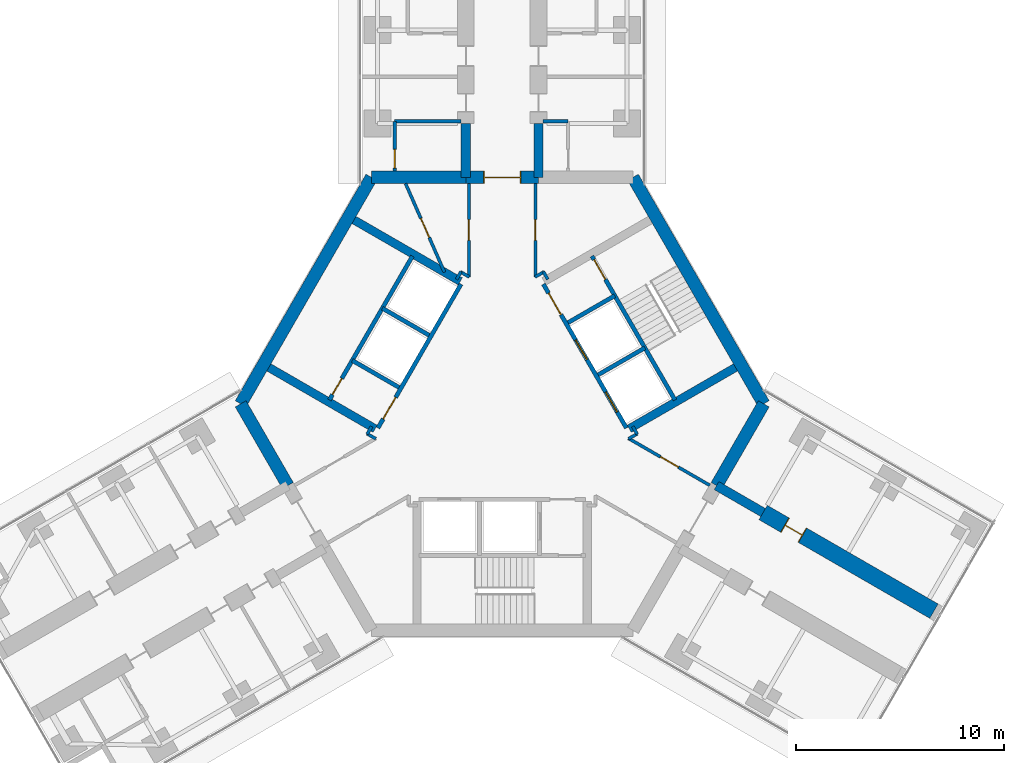
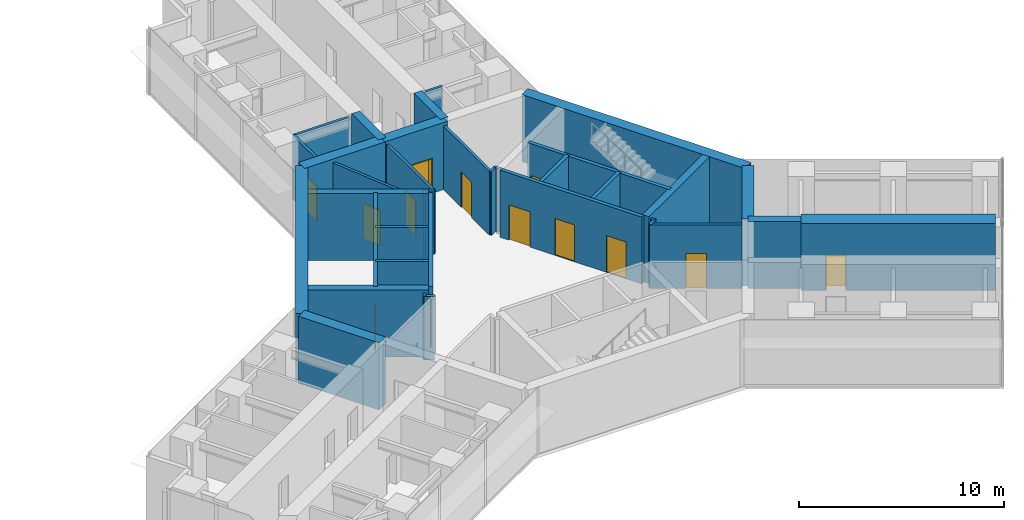
# One storey, part 19 of 22: 36 walls, 13 doors, 13 openings.
"""IFC4 building model written with IfcOpenShell, lengths in metres."""

import ifcopenshell
import ifcopenshell.guid

model = None  # the IFC model being written
_history = None  # IfcOwnerHistory: only IFC2X3 demands one
_inside = {}  # id of a spatial element -> (the spatial element, [elements in it])
_under = {}  # id of a project, library or spatial element -> (it, [spatial elements below it])
_declared = {}  # id of a project -> (the project, [libraries it declares])
_typed = {}  # id of a type object -> (the type object, [elements of that type])
_made_of = {}  # id of a material, layer set ... -> (it, [elements and type objects made of it])


def new_model(schema):
    """Start an empty IFC model of exactly this schema.

    Asked for "IFC4X3", IfcOpenShell would pick the latest addendum, in which some entities
    have other attributes; the version numbers below select the first issue.
    IFC2X3 requires an IfcOwnerHistory on every rooted entity: one is made here for all.
    """
    global model, _history
    if schema == "IFC4X3":
        model = ifcopenshell.file(schema_version=(4, 3, 0, 0))
    else:
        model = ifcopenshell.file(schema=schema)
    _inside.clear()
    _under.clear()
    _declared.clear()
    _typed.clear()
    _made_of.clear()
    _history = None
    if model.schema == "IFC2X3":
        org = make("IfcOrganization", Name="unknown")
        user = make(
            "IfcPersonAndOrganization",
            ThePerson=make("IfcPerson", FamilyName="unknown"),
            TheOrganization=org,
        )
        app = make(
            "IfcApplication",
            ApplicationDeveloper=org,
            Version="unknown",
            ApplicationFullName="unknown",
            ApplicationIdentifier="unknown",
        )
        _history = make(
            "IfcOwnerHistory",
            OwningUser=user,
            OwningApplication=app,
            ChangeAction="ADDED",
            CreationDate=0,
        )
    return model


def make(cls, **values):
    """One entity of the class cls with the attributes given. An attribute that is None is left unset."""
    return model.create_entity(
        cls, **{name: value for name, value in values.items() if value is not None}
    )


def rooted(cls, **values):
    """An entity with a GlobalId (a new one), such as an element, a storey or a relation."""
    return make(cls, GlobalId=ifcopenshell.guid.new(), OwnerHistory=_history, **values)


def si_unit(unit_type, name, prefix=None):
    """IfcSIUnit, for example si_unit("LENGTHUNIT", "METRE", prefix="MILLI")."""
    return make("IfcSIUnit", UnitType=unit_type, Prefix=prefix, Name=name)


def assignment(units):
    """IfcUnitAssignment: the units of a project."""
    return None if units is None else make("IfcUnitAssignment", Units=units)


def point(xyz):
    """IfcCartesianPoint."""
    return None if xyz is None else make("IfcCartesianPoint", Coordinates=xyz)


def direction(xyz):
    """IfcDirection."""
    return None if xyz is None else make("IfcDirection", DirectionRatios=xyz)


def frame(location, z_axis=None, x_axis=None):
    """IfcAxis2Placement3D, a coordinate frame: its origin and axes. An axis left out is left unset."""
    return make(
        "IfcAxis2Placement3D",
        Location=point(location),
        Axis=direction(z_axis),
        RefDirection=direction(x_axis),
    )


def frame_2d(location, x_axis=None):
    """IfcAxis2Placement2D, a coordinate frame in the plane: its origin and x axis."""
    return make(
        "IfcAxis2Placement2D", Location=point(location), RefDirection=direction(x_axis)
    )


def origin():
    """The frame at (0, 0, 0) with its axes left unset."""
    return frame((0.0, 0.0, 0.0))


def place(relative_to, where):
    """IfcLocalPlacement: puts the frame where relative to a parent placement (None: the world)."""
    return make(
        "IfcLocalPlacement", PlacementRelTo=relative_to, RelativePlacement=where
    )


def context(
    kind, dimensions, precision=None, world=None, true_north=None, identifier=None
):
    """IfcGeometricRepresentationContext, for example the 3D "Model" context."""
    return make(
        "IfcGeometricRepresentationContext",
        ContextIdentifier=identifier,
        ContextType=kind,
        CoordinateSpaceDimension=dimensions,
        Precision=precision,
        WorldCoordinateSystem=world,
        TrueNorth=true_north,
    )


def subcontext(parent, identifier, kind, view, scale=None):
    """IfcGeometricRepresentationSubContext, for example "Body" below "Model"."""
    return make(
        "IfcGeometricRepresentationSubContext",
        ContextIdentifier=identifier,
        ContextType=kind,
        ParentContext=parent,
        TargetScale=scale,
        TargetView=view,
    )


def project(units=None, contexts=None):
    """IfcProject with its units and contexts."""
    return rooted(
        "IfcProject",
        Name="project",
        RepresentationContexts=contexts,
        UnitsInContext=assignment(units),
    )


def spatial(cls, under=None, at=None, **own):
    """A site, building, storey or space (cls), placed at a placement, below another one or the project."""
    s = rooted(cls, ObjectPlacement=at, **own)
    if under is not None:
        _under.setdefault(under.id(), (under, []))[1].append(s)
    return s


def profile(cls, at=None, kind="AREA", **sizes):
    """A parametric profile (cls). Its sizes go by their IFC names, for example OverallWidth=200.0."""
    return make(cls, ProfileType=kind, Position=at, **sizes)


def rectangle(**sizes):
    """IfcRectangleProfileDef."""
    return profile("IfcRectangleProfileDef", **sizes)


def extrude(swept, where, along, depth):
    """IfcExtrudedAreaSolid: the profile swept, set in the frame where, extruded along a direction by depth."""
    return make(
        "IfcExtrudedAreaSolid",
        SweptArea=swept,
        Position=where,
        ExtrudedDirection=direction(along),
        Depth=depth,
    )


def shape(context_of_items, identifier, shape_type, items):
    """IfcShapeRepresentation: the items that make up one representation, for example the "Body"."""
    return make(
        "IfcShapeRepresentation",
        ContextOfItems=context_of_items,
        RepresentationIdentifier=identifier,
        RepresentationType=shape_type,
        Items=items,
    )


def material(Name=None, Category=None):
    """IfcMaterial."""
    return make("IfcMaterial", Name=Name, Category=Category)


def layer(
    of_material, thickness, ventilated=None, Name=None, Category=None, Priority=None
):
    """IfcMaterialLayer: one layer of a wall or slab, of a material (None: an air gap)."""
    return make(
        "IfcMaterialLayer",
        Material=of_material,
        LayerThickness=thickness,
        IsVentilated=ventilated,
        Name=Name,
        Category=Category,
        Priority=Priority,
    )


def layer_set(layers, Name=None):
    """IfcMaterialLayerSet."""
    return make("IfcMaterialLayerSet", MaterialLayers=layers, LayerSetName=Name)


def made_of(thing, what):
    """Note that an element or type object is made of a material, layer set ...; save() writes the relation."""
    if what is not None:
        _made_of.setdefault(what.id(), (what, []))[1].append(thing)
    return thing


def type_object(cls, material=None, **own):
    """A type object (cls), such as IfcWallType, which elements share."""
    return made_of(rooted(cls, **own), material)


def element(
    cls,
    number,
    at=None,
    inside=None,
    cuts=None,
    type_object=None,
    material=None,
    context=None,
    identifier="Body",
    shape_type=None,
    held_by="IfcProductDefinitionShape",
    body=None,
    shapes=None,
    **own,
):
    """One element of the class cls, such as IfcWall. Its Tag is "e" and its number.

    at: its placement. inside: the storey or other place that contains it. cuts: it is an
    opening in that element (IfcRelVoidsElement). A single representation is given by context,
    identifier, shape_type and body (its items); several are given by shapes. held_by: the class
    of the entity that holds the representations. save() writes the other relations.
    """
    e = rooted(cls, Tag="e%d" % number, ObjectPlacement=at, **own)
    if body is not None:
        shapes = [shape(context, identifier, shape_type, body)]
    if shapes is not None:
        e.Representation = make(held_by, Representations=shapes)
    if inside is not None:
        _inside.setdefault(inside.id(), (inside, []))[1].append(e)
    if cuts is not None:
        rooted(
            "IfcRelVoidsElement", RelatingBuildingElement=cuts, RelatedOpeningElement=e
        )
    if type_object is not None:
        _typed.setdefault(type_object.id(), (type_object, []))[1].append(e)
    return made_of(e, material)


def fill(opening, filler):
    """IfcRelFillsElement: the door or window that sits in an opening."""
    return rooted(
        "IfcRelFillsElement",
        RelatingOpeningElement=opening,
        RelatedBuildingElement=filler,
    )


def aggregate(whole, parts):
    """IfcRelAggregates: a whole, such as a stair, and the parts it consists of."""
    return rooted("IfcRelAggregates", RelatingObject=whole, RelatedObjects=parts)


def save(model, path):
    """Write the relations noted so far, then the file.

    IfcRelAggregates (storeys below a building ...), IfcRelContainedInSpatialStructure (elements
    in a storey), IfcRelDefinesByType, IfcRelAssociatesMaterial and IfcRelDeclares: one each for
    every whole, place, type object, material and project.
    """
    for whole, parts in _under.values():
        aggregate(whole, parts)
    for where, things in _inside.values():
        rooted(
            "IfcRelContainedInSpatialStructure",
            RelatedElements=things,
            RelatingStructure=where,
        )
    for kind, things in _typed.values():
        rooted("IfcRelDefinesByType", RelatedObjects=things, RelatingType=kind)
    for what, things in _made_of.values():
        rooted("IfcRelAssociatesMaterial", RelatedObjects=things, RelatingMaterial=what)
    for by, libraries in _declared.values():
        rooted("IfcRelDeclares", RelatingContext=by, RelatedDefinitions=libraries)
    model.write(path)


model = new_model("IFC4")

# Units and contexts
model_context = context("Model", 3, precision=1e-05, world=origin(), true_north=direction((0.0, 1.0)))
body_context = subcontext(model_context, "Body", "Model", "MODEL_VIEW")
ifc_project = project(units=[si_unit("LENGTHUNIT", "METRE"), si_unit("AREAUNIT", "SQUARE_METRE"), si_unit("VOLUMEUNIT", "CUBIC_METRE"), si_unit("PLANEANGLEUNIT", "RADIAN"), si_unit("MASSUNIT", "GRAM", prefix="KILO")], contexts=[model_context])

# Site, building, storey
site_placement = place(None, origin())
site = spatial("IfcSite", under=ifc_project, at=site_placement, CompositionType="ELEMENT")
building_placement = place(site_placement, origin())
building = spatial("IfcBuilding", under=site, at=building_placement, Name="Upepo Twin Towers", CompositionType="ELEMENT")
storey_placement = place(building_placement, frame((0.0, 0.0, 121.5)))
storey = spatial("IfcBuildingStorey", under=building, at=storey_placement, Name="L29", CompositionType="ELEMENT", Elevation=121.5)

# Walls
ifc_material_1 = material(Name="Concrete C60/75", Category="concrete")
ifc_layer_1 = layer(ifc_material_1, 0.449951171875)
ifc_layer_set_1 = layer_set([ifc_layer_1], Name="Concrete C60/75")
wall_type_1 = type_object("IfcWallType", Name="Buttress wall 450 RC", PredefinedType="SHEAR", material=ifc_layer_set_1)
for number, where, z_axis, x_axis, name in (
    (1, (56.75, -7.091552734375, 0.0), (0.0, 0.0, 1.0), (0.0, 1.0, 0.0), "T2 wing A buttress wall L"),
    (2, (60.25, -7.091552734375, 0.0), (0.0, 0.0, 1.0), (0.0, 1.0, 0.0), "T2 wing A buttress wall R"),
):
    element("IfcWall", number, at=place(storey_placement, frame(where, z_axis=z_axis, x_axis=x_axis)), inside=storey, type_object=wall_type_1, Name=name, PredefinedType="SHEAR", context=body_context, shape_type="SweptSolid", body=[
        extrude(rectangle(XDim=2.591552734375, YDim=0.449951171875, at=frame_2d((1.2958984375, 0.0))), origin(), (0.0, 0.0, 1.0), 4.0),
    ])
wall_1_placement = place(storey_placement, frame((68.82177734375, -21.938720703125, 0.0), z_axis=(0.0, 0.0, 1.0), x_axis=(0.866072649678, -0.499918158782, 0.0)))
element("IfcWall", 3, at=wall_1_placement, inside=storey, type_object=wall_type_1, Name="T2 wing C buttress wall L", PredefinedType="SHEAR", context=body_context, shape_type="SweptSolid", body=[
    extrude(rectangle(XDim=2.591796875, YDim=0.449951171875, at=frame_2d((1.2958984375, 0.0))), origin(), (0.0, 0.0, 1.0), 4.0),
])

# Wall, opening, door
ifc_material_2 = material(Name="Concrete C60/75", Category="concrete")
ifc_layer_2 = layer(ifc_material_2, 0.800048828125)
ifc_layer_set_2 = layer_set([ifc_layer_2], Name="Concrete C60/75")
wall_type_2 = type_object("IfcWallType", Name="Buttress wall 800 RC", PredefinedType="SHEAR", material=ifc_layer_set_2)
wall_2_placement = place(storey_placement, frame((71.06640625, -23.234375, 0.0), z_axis=(0.0, 0.0, 1.0), x_axis=(0.86602681393, -0.499997557548, 0.0)))
wall_2 = element("IfcWall", 4, at=wall_2_placement, inside=storey, type_object=wall_type_2, Name="T2 wing C buttress wall L part 2", PredefinedType="SHEAR", context=body_context, shape_type="SweptSolid", body=[
    extrude(rectangle(XDim=9.5, YDim=0.800048828125, at=frame_2d((4.75, 0.0))), origin(), (0.0, 0.0, 1.0), 4.0),
])
opening_1_placement = place(wall_2_placement, frame((1.199951171875, 0.0, 0.0)))
opening_1 = element("IfcOpeningElement", 5, at=opening_1_placement, cuts=wall_2, Name="Opening D1", PredefinedType="OPENING", context=body_context, shape_type="SweptSolid", body=[
    extrude(rectangle(XDim=1.0, YDim=2.10009765625, at=frame_2d((0.5, 1.050048828125))), frame((0.0, 0.409912109375, 0.0), z_axis=(0.0, -1.0, 0.0), x_axis=(1.0, 0.0, 0.0)), (0.0, 0.0, 1.0), 0.820068359375),
])
ifc_material_3 = material(Name="Timber doorset", Category="wood")
door_type_1 = type_object("IfcDoorType", Name="Room door 1000 FD30", OperationType="SINGLE_SWING_LEFT", PredefinedType="DOOR", material=ifc_material_3)
door_1_placement = place(opening_1_placement, origin())
door_1 = element("IfcDoor", 6, at=door_1_placement, inside=storey, type_object=door_type_1, Name="T2 L29 staff office door", OperationType="SINGLE_SWING_LEFT", OverallHeight=2.10009765625, OverallWidth=1.0, PredefinedType="DOOR", context=body_context, shape_type="SweptSolid", body=[
    extrude(rectangle(XDim=0.92, YDim=2.06009765625, at=frame_2d((0.5, 1.030029296875))), frame((0.0, 0.02490234375, 0.0), z_axis=(0.0, -1.0, 0.0), x_axis=(1.0, 0.0, 0.0)), (0.0, 0.0, 1.0), 0.050048828125),
    extrude(rectangle(XDim=0.04, YDim=2.10009765625, at=frame_2d((0.02001953125, 1.050048828125))), frame((0.0, 0.39990234375, 0.0), z_axis=(0.0, -1.0, 0.0), x_axis=(1.0, 0.0, 0.0)), (0.0, 0.0, 1.0), 0.799560546875),
    extrude(rectangle(XDim=0.04, YDim=2.10009765625, at=frame_2d((0.97998046875, 1.050048828125))), frame((0.0, 0.39990234375, 0.0), z_axis=(0.0, -1.0, 0.0), x_axis=(1.0, 0.0, 0.0)), (0.0, 0.0, 1.0), 0.799560546875),
    extrude(rectangle(XDim=0.92, YDim=0.04, at=frame_2d((0.5, 2.080078125))), frame((0.0, 0.39990234375, 0.0), z_axis=(0.0, -1.0, 0.0), x_axis=(1.0, 0.0, 0.0)), (0.0, 0.0, 1.0), 0.799560546875),
])
fill(opening_1, door_1)

ifc_material_4 = material(Name="Concrete C60/75", Category="concrete")
ifc_layer_3 = layer(ifc_material_4, 0.60009765625)
ifc_layer_set_3 = layer_set([ifc_layer_3], Name="Concrete C60/75")
wall_type_3 = type_object("IfcWallType", Name="Core wall 600 RC", PredefinedType="SHEAR", material=ifc_layer_set_3)
wall_3_placement = place(storey_placement, frame((60.25, -7.091552734375, 0.0), z_axis=(0.0, 0.0, 1.0), x_axis=(-1.0, 0.0, 0.0)))
wall_3 = element("IfcWall", 7, at=wall_3_placement, inside=storey, type_object=wall_type_3, Name="T2 core wall 000", PredefinedType="SHEAR", context=body_context, shape_type="SweptSolid", body=[
    extrude(rectangle(XDim=3.5, YDim=0.60009765625, at=frame_2d((1.75, 0.0))), origin(), (0.0, 0.0, 1.0), 4.0),
])
opening_2_placement = place(wall_3_placement, frame((0.85009765625, 0.0, 0.0)))
opening_2 = element("IfcOpeningElement", 8, at=opening_2_placement, cuts=wall_3, Name="Opening D2", PredefinedType="OPENING", context=body_context, shape_type="SweptSolid", body=[
    extrude(rectangle(XDim=1.800048828125, YDim=2.10009765625, at=frame_2d((0.89990234375, 1.050048828125))), frame((0.0, 0.31005859375, 0.0), z_axis=(0.0, -1.0, 0.0), x_axis=(1.0, 0.0, 0.0)), (0.0, 0.0, 1.0), 0.6201171875),
])
ifc_material_5 = material(Name="Timber doorset", Category="wood")
door_type_2 = type_object("IfcDoorType", Name="Corridor double door 1800 FD60", OperationType="DOUBLE_DOOR_DOUBLE_SWING", PredefinedType="DOOR", material=ifc_material_5)
door_2_placement = place(opening_2_placement, origin())
door_2 = element("IfcDoor", 9, at=door_2_placement, inside=storey, type_object=door_type_2, Name="T2 L29 wing A corridor door", OperationType="DOUBLE_DOOR_DOUBLE_SWING", OverallHeight=2.10009765625, OverallWidth=1.800048828125, PredefinedType="DOOR", context=body_context, shape_type="SweptSolid", body=[
    extrude(rectangle(XDim=1.720048828125, YDim=2.06009765625, at=frame_2d((0.89990234375, 1.030029296875))), frame((0.0, 0.02490234375, 0.0), z_axis=(0.0, -1.0, 0.0), x_axis=(1.0, 0.0, 0.0)), (0.0, 0.0, 1.0), 0.050048828125),
    extrude(rectangle(XDim=0.04, YDim=2.10009765625, at=frame_2d((0.02001953125, 1.050048828125))), frame((0.0, 0.2998046875, 0.0), z_axis=(0.0, -1.0, 0.0), x_axis=(1.0, 0.0, 0.0)), (0.0, 0.0, 1.0), 0.599609375),
    extrude(rectangle(XDim=0.04, YDim=2.10009765625, at=frame_2d((1.780029296875, 1.050048828125))), frame((0.0, 0.2998046875, 0.0), z_axis=(0.0, -1.0, 0.0), x_axis=(1.0, 0.0, 0.0)), (0.0, 0.0, 1.0), 0.599609375),
    extrude(rectangle(XDim=1.720048828125, YDim=0.04, at=frame_2d((0.89990234375, 2.080078125))), frame((0.0, 0.2998046875, 0.0), z_axis=(0.0, -1.0, 0.0), x_axis=(1.0, 0.0, 0.0)), (0.0, 0.0, 1.0), 0.599609375),
])
fill(opening_2, door_2)

# Walls
wall_4_placement = place(storey_placement, frame((56.75, -7.091552734375, 0.0), z_axis=(0.0, 0.0, 1.0), x_axis=(-1.0, 0.0, 0.0)))
element("IfcWall", 10, at=wall_4_placement, inside=storey, type_object=wall_type_3, Name="T2 core wall 000 L", PredefinedType="SHEAR", context=body_context, shape_type="SweptSolid", body=[
    extrude(rectangle(XDim=4.5478515625, YDim=0.60009765625, at=frame_2d((2.27392578125, 0.0))), origin(), (0.0, 0.0, 1.0), 4.0),
])
wall_5_placement = place(storey_placement, frame((52.2021484375, -7.091552734375, 0.0), z_axis=(0.0, 0.0, 1.0), x_axis=(-0.500005998175, -0.866021940709, 0.0)))
element("IfcWall", 11, at=wall_5_placement, inside=storey, type_object=wall_type_3, Name="T2 core wall 060", PredefinedType="SHEAR", context=body_context, shape_type="SweptSolid", body=[
    extrude(rectangle(XDim=12.595947265625, YDim=0.60009765625, at=frame_2d((6.2978515625, 0.0))), origin(), (0.0, 0.0, 1.0), 4.0),
])
for number, where, z_axis, x_axis, name in (
    (12, (45.904052734375, -18.0, 0.0), (0.0, 0.0, 1.0), (0.500024481964, -0.866011268655, 0.0), "T2 core wall 120 R"),
    (13, (68.82177734375, -21.938720703125, 0.0), (0.0, 0.0, 1.0), (0.500024481964, 0.866011268655, 0.0), "T2 core wall 240 L"),
):
    element("IfcWall", number, at=place(storey_placement, frame(where, z_axis=z_axis, x_axis=x_axis)), inside=storey, type_object=wall_type_3, Name=name, PredefinedType="SHEAR", context=body_context, shape_type="SweptSolid", body=[
        extrude(rectangle(XDim=4.548095703125, YDim=0.60009765625, at=frame_2d((2.27392578125, 0.0))), origin(), (0.0, 0.0, 1.0), 4.0),
    ])
wall_6_placement = place(storey_placement, frame((71.095947265625, -18.0, 0.0), z_axis=(0.0, 0.0, 1.0), x_axis=(-0.500005998175, 0.866021940709, 0.0)))
element("IfcWall", 14, at=wall_6_placement, inside=storey, type_object=wall_type_3, Name="T2 core wall 300", PredefinedType="SHEAR", context=body_context, shape_type="SweptSolid", body=[
    extrude(rectangle(XDim=12.595947265625, YDim=0.60009765625, at=frame_2d((6.2978515625, 0.0))), origin(), (0.0, 0.0, 1.0), 4.0),
])

# Wall, opening, door
ifc_material_6 = material(Name="Concrete C40/50", Category="concrete")
ifc_layer_4 = layer(ifc_material_6, 0.199951171875)
ifc_layer_set_4 = layer_set([ifc_layer_4], Name="Concrete C40/50")
wall_type_4 = type_object("IfcWallType", Name="Shaft wall 200 RC", PredefinedType="SHEAR", material=ifc_layer_set_4)
wall_7_placement = place(storey_placement, frame((56.516357421875, -12.23583984375, 0.0), z_axis=(0.0, 0.0, 1.0), x_axis=(-0.49999894854, -0.866026010844, 0.0)))
wall_7 = element("IfcWall", 15, at=wall_7_placement, inside=storey, type_object=wall_type_4, Name="T2 core W60 front wall", PredefinedType="SHEAR", context=body_context, shape_type="SweptSolid", body=[
    extrude(rectangle(XDim=8.0, YDim=0.199951171875, at=frame_2d((4.0, 0.0))), origin(), (0.0, 0.0, 1.0), 4.0),
])
opening_3_placement = place(wall_7_placement, frame((6.300048828125, 0.0, 0.0)))
opening_3 = element("IfcOpeningElement", 16, at=opening_3_placement, cuts=wall_7, Name="Opening D4", PredefinedType="OPENING", context=body_context, shape_type="SweptSolid", body=[
    extrude(rectangle(XDim=1.199951171875, YDim=2.10009765625, at=frame_2d((0.60009765625, 1.050048828125))), frame((0.0, 0.10986328125, 0.0), z_axis=(0.0, -1.0, 0.0), x_axis=(1.0, 0.0, 0.0)), (0.0, 0.0, 1.0), 0.219970703125),
])
ifc_material_7 = material(Name="Timber doorset", Category="wood")
door_type_3 = type_object("IfcDoorType", Name="Lobby door 1200 FD60", OperationType="SINGLE_SWING_LEFT", PredefinedType="DOOR", material=ifc_material_7)
door_3_placement = place(opening_3_placement, origin())
door_3 = element("IfcDoor", 17, at=door_3_placement, inside=storey, type_object=door_type_3, Name="T2 L29 W60 lobby door", OperationType="SINGLE_SWING_RIGHT", OverallHeight=2.10009765625, OverallWidth=1.199951171875, PredefinedType="DOOR", context=body_context, shape_type="SweptSolid", body=[
    extrude(rectangle(XDim=1.199951171875, YDim=2.10009765625, at=frame_2d((0.60009765625, 1.050048828125))), frame((0.0, 0.02490234375, 0.0), z_axis=(0.0, -1.0, 0.0), x_axis=(1.0, 0.0, 0.0)), (0.0, 0.0, 1.0), 0.050048828125),
])
fill(opening_3, door_3)

# Walls
for number, where, z_axis, x_axis, name in (
    (18, (54.979736328125, -14.697265625, 0.0), (0.0, 0.0, 1.0), (-0.866062058628, 0.499936506574, 0.0), "T2 core W60 shaft divider"),
    (19, (53.52978515625, -17.208740234375, 0.0), (0.0, 0.0, 1.0), (-0.866062058628, 0.499936506574, 0.0), "T2 core W60 lobby wall"),
):
    element("IfcWall", number, at=place(storey_placement, frame(where, z_axis=z_axis, x_axis=x_axis)), inside=storey, type_object=wall_type_4, Name=name, PredefinedType="SHEAR", context=body_context, shape_type="SweptSolid", body=[
        extrude(rectangle(XDim=2.599853515625, YDim=0.199951171875, at=frame_2d((1.2998046875, 0.0))), origin(), (0.0, 0.0, 1.0), 4.0),
    ])

# Wall, opening, door
wall_8_placement = place(storey_placement, frame((54.177978515625, -10.885986328125, 0.0), z_axis=(0.0, 0.0, 1.0), x_axis=(-0.49999894854, -0.866026010844, 0.0)))
wall_8 = element("IfcWall", 20, at=wall_8_placement, inside=storey, type_object=wall_type_4, Name="T2 core W60 stair wall", PredefinedType="SHEAR", context=body_context, shape_type="SweptSolid", body=[
    extrude(rectangle(XDim=8.0, YDim=0.199951171875, at=frame_2d((4.0, 0.0))), origin(), (0.0, 0.0, 1.0), 4.0),
])
opening_4_placement = place(wall_8_placement, frame((6.800048828125, 0.0, 0.0)))
opening_4 = element("IfcOpeningElement", 21, at=opening_4_placement, cuts=wall_8, Name="Opening D9", PredefinedType="OPENING", context=body_context, shape_type="SweptSolid", body=[
    extrude(rectangle(XDim=0.89990234375, YDim=2.10009765625, at=frame_2d((0.449951171875, 1.050048828125))), frame((0.0, 0.10986328125, 0.0), z_axis=(0.0, -1.0, 0.0), x_axis=(1.0, 0.0, 0.0)), (0.0, 0.0, 1.0), 0.219970703125),
])
ifc_material_8 = material(Name="Timber doorset", Category="wood")
door_type_4 = type_object("IfcDoorType", Name="Riser door 900 FD60", OperationType="SINGLE_SWING_LEFT", PredefinedType="DOOR", material=ifc_material_8)
door_4_placement = place(opening_4_placement, origin())
door_4 = element("IfcDoor", 22, at=door_4_placement, inside=storey, type_object=door_type_4, Name="T2 L29 riser door", OperationType="SINGLE_SWING_RIGHT", OverallHeight=2.10009765625, OverallWidth=0.89990234375, PredefinedType="DOOR", context=body_context, shape_type="SweptSolid", body=[
    extrude(rectangle(XDim=0.89990234375, YDim=2.10009765625, at=frame_2d((0.449951171875, 1.050048828125))), frame((0.0, 0.02490234375, 0.0), z_axis=(0.0, -1.0, 0.0), x_axis=(1.0, 0.0, 0.0)), (0.0, 0.0, 1.0), 0.050048828125),
])
fill(opening_4, door_4)

# Wall, openings, doors
wall_9_placement = place(storey_placement, frame((64.483642578125, -19.1640625, 0.0), z_axis=(0.0, 0.0, 1.0), x_axis=(-0.49999894854, 0.866026010844, 0.0)))
wall_9 = element("IfcWall", 23, at=wall_9_placement, inside=storey, type_object=wall_type_4, Name="T2 core W300 front wall", PredefinedType="SHEAR", context=body_context, shape_type="SweptSolid", body=[
    extrude(rectangle(XDim=8.0, YDim=0.199951171875, at=frame_2d((4.0, 0.0))), origin(), (0.0, 0.0, 1.0), 4.0),
])
opening_5_placement = place(wall_9_placement, frame((6.300048828125, 0.0, 0.0)))
opening_5 = element("IfcOpeningElement", 24, at=opening_5_placement, cuts=wall_9, Name="Opening D4", PredefinedType="OPENING", context=body_context, shape_type="SweptSolid", body=[
    extrude(rectangle(XDim=1.199951171875, YDim=2.10009765625, at=frame_2d((0.60009765625, 1.050048828125))), frame((0.0, 0.10986328125, 0.0), z_axis=(0.0, -1.0, 0.0), x_axis=(1.0, 0.0, 0.0)), (0.0, 0.0, 1.0), 0.219970703125),
])
opening_6_placement = place(wall_9_placement, frame((0.89990234375, 0.0, 0.0)))
opening_6 = element("IfcOpeningElement", 25, at=opening_6_placement, cuts=wall_9, Name="Opening LD1", PredefinedType="OPENING", context=body_context, shape_type="SweptSolid", body=[
    extrude(rectangle(XDim=1.10009765625, YDim=2.199951171875, at=frame_2d((0.550048828125, 1.10009765625))), frame((0.0, 0.10986328125, 0.0), z_axis=(0.0, -1.0, 0.0), x_axis=(1.0, 0.0, 0.0)), (0.0, 0.0, 1.0), 0.219970703125),
])
opening_7_placement = place(wall_9_placement, frame((3.800048828125, 0.0, 0.0)))
opening_7 = element("IfcOpeningElement", 26, at=opening_7_placement, cuts=wall_9, Name="Opening LD1", PredefinedType="OPENING", context=body_context, shape_type="SweptSolid", body=[
    extrude(rectangle(XDim=1.10009765625, YDim=2.199951171875, at=frame_2d((0.550048828125, 1.10009765625))), frame((0.0, 0.10986328125, 0.0), z_axis=(0.0, -1.0, 0.0), x_axis=(1.0, 0.0, 0.0)), (0.0, 0.0, 1.0), 0.219970703125),
])
ifc_material_9 = material(Name="Steel doorset", Category="steel")
door_type_5 = type_object("IfcDoorType", Name="Lift landing door 1100", OperationType="DOUBLE_DOOR_SLIDING", PredefinedType="DOOR", material=ifc_material_9)
door_5_placement = place(opening_6_placement, origin())
door_5 = element("IfcDoor", 27, at=door_5_placement, inside=storey, type_object=door_type_5, Name="T2 L29 lift ML1 landing door", OperationType="DOUBLE_DOOR_SLIDING", OverallHeight=2.199951171875, OverallWidth=1.10009765625, PredefinedType="DOOR", context=body_context, shape_type="SweptSolid", body=[
    extrude(rectangle(XDim=1.10009765625, YDim=2.199951171875, at=frame_2d((0.550048828125, 1.10009765625))), frame((0.0, 0.02490234375, 0.0), z_axis=(0.0, -1.0, 0.0), x_axis=(1.0, 0.0, 0.0)), (0.0, 0.0, 1.0), 0.050048828125),
])
fill(opening_6, door_5)
door_6_placement = place(opening_7_placement, origin())
door_6 = element("IfcDoor", 28, at=door_6_placement, inside=storey, type_object=door_type_5, Name="T2 L29 lift ML2 landing door", OperationType="DOUBLE_DOOR_SLIDING", OverallHeight=2.199951171875, OverallWidth=1.10009765625, PredefinedType="DOOR", context=body_context, shape_type="SweptSolid", body=[
    extrude(rectangle(XDim=1.10009765625, YDim=2.199951171875, at=frame_2d((0.550048828125, 1.10009765625))), frame((0.0, 0.02490234375, 0.0), z_axis=(0.0, -1.0, 0.0), x_axis=(1.0, 0.0, 0.0)), (0.0, 0.0, 1.0), 0.050048828125),
])
fill(opening_7, door_6)
door_7_placement = place(opening_5_placement, origin())
door_7 = element("IfcDoor", 29, at=door_7_placement, inside=storey, type_object=door_type_3, Name="T2 L29 W300 lobby door", OperationType="SINGLE_SWING_RIGHT", OverallHeight=2.10009765625, OverallWidth=1.199951171875, PredefinedType="DOOR", context=body_context, shape_type="SweptSolid", body=[
    extrude(rectangle(XDim=1.199951171875, YDim=2.10009765625, at=frame_2d((0.60009765625, 1.050048828125))), frame((0.0, 0.02490234375, 0.0), z_axis=(0.0, -1.0, 0.0), x_axis=(1.0, 0.0, 0.0)), (0.0, 0.0, 1.0), 0.050048828125),
])
fill(opening_5, door_7)

# Walls
wall_10_placement = place(storey_placement, frame((63.120361328125, -16.6025390625, 0.0), z_axis=(0.0, 0.0, 1.0), x_axis=(0.866062058628, 0.499936506574, 0.0)))
element("IfcWall", 30, at=wall_10_placement, inside=storey, type_object=wall_type_4, Name="T2 core W300 shaft divider", PredefinedType="SHEAR", context=body_context, shape_type="SweptSolid", body=[
    extrude(rectangle(XDim=2.599853515625, YDim=0.199951171875, at=frame_2d((1.2998046875, 0.0))), origin(), (0.0, 0.0, 1.0), 4.0),
])
wall_11_placement = place(storey_placement, frame((61.67041015625, -14.091064453125, 0.0), z_axis=(0.0, 0.0, 1.0), x_axis=(0.86603858612, 0.49997716683, 0.0)))
element("IfcWall", 31, at=wall_11_placement, inside=storey, type_object=wall_type_4, Name="T2 core W300 lobby wall", PredefinedType="SHEAR", context=body_context, shape_type="SweptSolid", body=[
    extrude(rectangle(XDim=2.599609375, YDim=0.199951171875, at=frame_2d((1.2998046875, 0.0))), origin(), (0.0, 0.0, 1.0), 4.0),
])

# Wall, opening, door
wall_12_placement = place(storey_placement, frame((66.822021484375, -17.814208984375, 0.0), z_axis=(0.0, 0.0, 1.0), x_axis=(-0.49999894854, 0.866026010844, 0.0)))
wall_12 = element("IfcWall", 32, at=wall_12_placement, inside=storey, type_object=wall_type_4, Name="T2 core W300 stair wall", PredefinedType="SHEAR", context=body_context, shape_type="SweptSolid", body=[
    extrude(rectangle(XDim=8.0, YDim=0.199951171875, at=frame_2d((4.0, 0.0))), origin(), (0.0, 0.0, 1.0), 4.0),
])
opening_8_placement = place(wall_12_placement, frame((6.699951171875, 0.0, 0.0)))
opening_8 = element("IfcOpeningElement", 33, at=opening_8_placement, cuts=wall_12, Name="Opening D3", PredefinedType="OPENING", context=body_context, shape_type="SweptSolid", body=[
    extrude(rectangle(XDim=1.10009765625, YDim=2.10009765625, at=frame_2d((0.550048828125, 1.050048828125))), frame((0.0, 0.10986328125, 0.0), z_axis=(0.0, -1.0, 0.0), x_axis=(1.0, 0.0, 0.0)), (0.0, 0.0, 1.0), 0.219970703125),
])
ifc_material_10 = material(Name="Timber doorset", Category="wood")
door_type_6 = type_object("IfcDoorType", Name="Stair door 1100 FD60", OperationType="SINGLE_SWING_LEFT", PredefinedType="DOOR", material=ifc_material_10)
door_8_placement = place(opening_8_placement, origin())
door_8 = element("IfcDoor", 34, at=door_8_placement, inside=storey, type_object=door_type_6, Name="T2 L29 stair door", OperationType="SINGLE_SWING_RIGHT", OverallHeight=2.10009765625, OverallWidth=1.10009765625, PredefinedType="DOOR", context=body_context, shape_type="SweptSolid", body=[
    extrude(rectangle(XDim=1.10009765625, YDim=2.10009765625, at=frame_2d((0.550048828125, 1.050048828125))), frame((0.0, 0.02490234375, 0.0), z_axis=(0.0, -1.0, 0.0), x_axis=(1.0, 0.0, 0.0)), (0.0, 0.0, 1.0), 0.050048828125),
])
fill(opening_8, door_8)

# Walls
ifc_material_11 = material(Name="Concrete C40/50", Category="concrete")
ifc_layer_5 = layer(ifc_material_11, 0.39990234375)
ifc_layer_set_5 = layer_set([ifc_layer_5], Name="Concrete C40/50")
wall_type_5 = type_object("IfcWallType", Name="Shaft wall 400 RC", PredefinedType="SHEAR", material=ifc_layer_set_5)
wall_13_placement = place(storey_placement, frame((52.379638671875, -19.20068359375, 0.0), z_axis=(0.0, 0.0, 1.0), x_axis=(-0.866027317282, 0.49999668571, 0.0)))
element("IfcWall", 35, at=wall_13_placement, inside=storey, type_object=wall_type_5, Name="T2 core W60 side wall N", PredefinedType="SHEAR", context=body_context, shape_type="SweptSolid", body=[
    extrude(rectangle(XDim=5.908203125, YDim=0.39990234375, at=frame_2d((2.9541015625, 0.0))), origin(), (0.0, 0.0, 1.0), 4.0),
])
wall_14_placement = place(storey_placement, frame((56.479736328125, -12.099365234375, 0.0), z_axis=(0.0, 0.0, 1.0), x_axis=(-0.866009424208, 0.500027676417, 0.0)))
element("IfcWall", 36, at=wall_14_placement, inside=storey, type_object=wall_type_5, Name="T2 core W60 side wall S", PredefinedType="SHEAR", context=body_context, shape_type="SweptSolid", body=[
    extrude(rectangle(XDim=5.908447265625, YDim=0.39990234375, at=frame_2d((2.9541015625, 0.0))), origin(), (0.0, 0.0, 1.0), 4.0),
])
wall_15_placement = place(storey_placement, frame((64.620361328125, -19.20068359375, 0.0), z_axis=(0.0, 0.0, 1.0), x_axis=(0.866027317282, 0.49999668571, 0.0)))
element("IfcWall", 37, at=wall_15_placement, inside=storey, type_object=wall_type_5, Name="T2 core W300 side wall S", PredefinedType="SHEAR", context=body_context, shape_type="SweptSolid", body=[
    extrude(rectangle(XDim=5.908203125, YDim=0.39990234375, at=frame_2d((2.9541015625, 0.0))), origin(), (0.0, 0.0, 1.0), 4.0),
])

# Wall, opening, door
ifc_material_12 = material(Name="Gypsum board on steel studs", Category="steel")
ifc_layer_6 = layer(ifc_material_12, 0.14990234375)
ifc_layer_set_6 = layer_set([ifc_layer_6], Name="Teaching partition 150 acoustic")
wall_type_6 = type_object("IfcWallType", Name="Teaching partition 150 acoustic", PredefinedType="PARTITIONING", material=ifc_layer_set_6)
wall_16_placement = place(storey_placement, frame((53.324951171875, -6.7919921875, 0.0), z_axis=(0.0, 0.0, 1.0), x_axis=(0.0, 1.0, 0.0)))
wall_16 = element("IfcWall", 38, at=wall_16_placement, inside=storey, type_object=wall_type_6, Name="T2 WC bay partition AL at 11.21", PredefinedType="PARTITIONING", context=body_context, shape_type="SweptSolid", body=[
    extrude(rectangle(XDim=2.39990234375, YDim=0.14990234375, at=frame_2d((1.199951171875, 0.0))), origin(), (0.0, 0.0, 1.0), 3.800048828125),
])
opening_9_placement = place(wall_16_placement, frame((0.14990234375, 0.0, 0.0)))
opening_9 = element("IfcOpeningElement", 39, at=opening_9_placement, cuts=wall_16, Name="Opening D14", PredefinedType="OPENING", context=body_context, shape_type="SweptSolid", body=[
    extrude(rectangle(XDim=0.89990234375, YDim=2.10009765625, at=frame_2d((0.449951171875, 1.050048828125))), frame((0.0, 0.0849609375, 0.0), z_axis=(0.0, -1.0, 0.0), x_axis=(1.0, 0.0, 0.0)), (0.0, 0.0, 1.0), 0.169921875),
])
ifc_material_13 = material(Name="Timber doorset", Category="wood")
door_type_7 = type_object("IfcDoorType", Name="Office door 900 FD30", OperationType="SINGLE_SWING_LEFT", PredefinedType="DOOR", material=ifc_material_13)
door_9_placement = place(opening_9_placement, origin())
door_9 = element("IfcDoor", 40, at=door_9_placement, inside=storey, type_object=door_type_7, Name="T2 L29 WC bay inner room door", OperationType="SINGLE_SWING_LEFT", OverallHeight=2.10009765625, OverallWidth=0.89990234375, PredefinedType="DOOR", context=body_context, shape_type="SweptSolid", body=[
    extrude(rectangle(XDim=0.89990234375, YDim=2.10009765625, at=frame_2d((0.449951171875, 1.050048828125))), frame((0.0, 0.02490234375, 0.0), z_axis=(0.0, -1.0, 0.0), x_axis=(1.0, 0.0, 0.0)), (0.0, 0.0, 1.0), 0.050048828125),
])
fill(opening_9, door_9)

# Walls
wall_17_placement = place(storey_placement, frame((56.52490234375, -4.39208984375, 0.0), z_axis=(0.0, 0.0, 1.0), x_axis=(-1.0, 0.0, 0.0)))
element("IfcWall", 41, at=wall_17_placement, inside=storey, type_object=wall_type_6, Name="T2 WC bay partition AL end at 13.61", PredefinedType="PARTITIONING", context=body_context, shape_type="SweptSolid", body=[
    extrude(rectangle(XDim=3.199951171875, YDim=0.14990234375, at=frame_2d((1.60009765625, 0.0))), origin(), (0.0, 0.0, 1.0), 3.800048828125),
])
wall_18_placement = place(storey_placement, frame((60.47509765625, -4.39208984375, 0.0), z_axis=(0.0, 0.0, 1.0), x_axis=(1.0, 0.0, 0.0)))
element("IfcWall", 42, at=wall_18_placement, inside=storey, type_object=wall_type_6, Name="T2 WC bay partition AR end at 13.61", PredefinedType="PARTITIONING", context=body_context, shape_type="SweptSolid", body=[
    extrude(rectangle(XDim=1.199951171875, YDim=0.14990234375, at=frame_2d((0.60009765625, 0.0))), origin(), (0.0, 0.0, 1.0), 3.800048828125),
])
wall_19_placement = place(storey_placement, frame((52.417236328125, -19.684326171875, 0.0), z_axis=(0.0, 0.0, 1.0), x_axis=(-0.865831790172, 0.50033519877, 0.0)))
element("IfcWall", 43, at=wall_19_placement, inside=storey, type_object=wall_type_6, Name="T2 core room partition 4", PredefinedType="PARTITIONING", context=body_context, shape_type="SweptSolid", body=[
    extrude(rectangle(XDim=0.494384765625, YDim=0.14990234375, at=frame_2d((0.2470703125, 0.0))), origin(), (0.0, 0.0, 1.0), 3.800048828125),
])
for number, where, z_axis, x_axis, name in (
    (44, (51.99658203125, -19.46435546875, 0.0), (0.0, 0.0, 1.0), (0.499804398801, 0.866138304741, 0.0), "T2 core room partition 5"),
    (45, (56.301513671875, -12.0078125, 0.0), (0.0, 0.0, 1.0), (0.500230298122, 0.865892400268, 0.0), "T2 core room partition 6"),
):
    element("IfcWall", number, at=place(storey_placement, frame(where, z_axis=z_axis, x_axis=x_axis)), inside=storey, type_object=wall_type_6, Name=name, PredefinedType="PARTITIONING", context=body_context, shape_type="SweptSolid", body=[
        extrude(rectangle(XDim=0.429931640625, YDim=0.14990234375, at=frame_2d((0.21484375, 0.0))), origin(), (0.0, 0.0, 1.0), 3.800048828125),
    ])
wall_20_placement = place(storey_placement, frame((56.4892578125, -11.642822265625, 0.0), z_axis=(0.0, 0.0, 1.0), x_axis=(0.865831790172, -0.50033519877, 0.0)))
element("IfcWall", 46, at=wall_20_placement, inside=storey, type_object=wall_type_6, Name="T2 core room partition 7", PredefinedType="PARTITIONING", context=body_context, shape_type="SweptSolid", body=[
    extrude(rectangle(XDim=0.494384765625, YDim=0.14990234375, at=frame_2d((0.2470703125, 0.0))), origin(), (0.0, 0.0, 1.0), 3.800048828125),
])

# Wall, opening, door
wall_21_placement = place(storey_placement, frame((56.89990234375, -11.900146484375, 0.0), z_axis=(0.0, 0.0, 1.0), x_axis=(0.0, 1.0, 0.0)))
wall_21 = element("IfcWall", 47, at=wall_21_placement, inside=storey, type_object=wall_type_6, Name="T2 core room partition 8", PredefinedType="PARTITIONING", context=body_context, shape_type="SweptSolid", body=[
    extrude(rectangle(XDim=4.5185546875, YDim=0.14990234375, at=frame_2d((2.25927734375, 0.0))), origin(), (0.0, 0.0, 1.0), 3.800048828125),
])
opening_10_placement = place(wall_21_placement, frame((1.769287109375, 0.0, 0.0)))
opening_10 = element("IfcOpeningElement", 48, at=opening_10_placement, cuts=wall_21, Name="Opening D1", PredefinedType="OPENING", context=body_context, shape_type="SweptSolid", body=[
    extrude(rectangle(XDim=1.0, YDim=2.10009765625, at=frame_2d((0.5, 1.050048828125))), frame((0.0, 0.0849609375, 0.0), z_axis=(0.0, -1.0, 0.0), x_axis=(1.0, 0.0, 0.0)), (0.0, 0.0, 1.0), 0.169921875),
])
door_10_placement = place(opening_10_placement, origin())
door_10 = element("IfcDoor", 49, at=door_10_placement, inside=storey, type_object=door_type_1, Name="T2 L29 core room door K7", OperationType="SINGLE_SWING_RIGHT", OverallHeight=2.10009765625, OverallWidth=1.0, PredefinedType="DOOR", context=body_context, shape_type="SweptSolid", body=[
    extrude(rectangle(XDim=1.0, YDim=2.10009765625, at=frame_2d((0.5, 1.050048828125))), frame((0.0, 0.02490234375, 0.0), z_axis=(0.0, -1.0, 0.0), x_axis=(1.0, 0.0, 0.0)), (0.0, 0.0, 1.0), 0.050048828125),
])
fill(opening_10, door_10)

wall_22_placement = place(storey_placement, frame((60.10009765625, -7.381591796875, 0.0), z_axis=(0.0, 0.0, 1.0), x_axis=(0.0, -1.0, 0.0)))
wall_22 = element("IfcWall", 50, at=wall_22_placement, inside=storey, type_object=wall_type_6, Name="T2 core room partition 9", PredefinedType="PARTITIONING", context=body_context, shape_type="SweptSolid", body=[
    extrude(rectangle(XDim=4.5185546875, YDim=0.14990234375, at=frame_2d((2.25927734375, 0.0))), origin(), (0.0, 0.0, 1.0), 3.800048828125),
])
opening_11_placement = place(wall_22_placement, frame((1.7490234375, 0.0, 0.0)))
opening_11 = element("IfcOpeningElement", 51, at=opening_11_placement, cuts=wall_22, Name="Opening D1", PredefinedType="OPENING", context=body_context, shape_type="SweptSolid", body=[
    extrude(rectangle(XDim=1.0, YDim=2.10009765625, at=frame_2d((0.5, 1.050048828125))), frame((0.0, 0.0849609375, 0.0), z_axis=(0.0, -1.0, 0.0), x_axis=(1.0, 0.0, 0.0)), (0.0, 0.0, 1.0), 0.169921875),
])
door_11_placement = place(opening_11_placement, origin())
door_11 = element("IfcDoor", 52, at=door_11_placement, inside=storey, type_object=door_type_1, Name="T2 L29 core room door K5", OperationType="SINGLE_SWING_LEFT", OverallHeight=2.10009765625, OverallWidth=1.0, PredefinedType="DOOR", context=body_context, shape_type="SweptSolid", body=[
    extrude(rectangle(XDim=1.0, YDim=2.10009765625, at=frame_2d((0.5, 1.050048828125))), frame((0.0, 0.02490234375, 0.0), z_axis=(0.0, -1.0, 0.0), x_axis=(1.0, 0.0, 0.0)), (0.0, 0.0, 1.0), 0.050048828125),
])
fill(opening_11, door_11)

# Walls
wall_23_placement = place(storey_placement, frame((60.082763671875, -11.89013671875, 0.0), z_axis=(0.0, 0.0, 1.0), x_axis=(0.865831790172, 0.50033519877, 0.0)))
element("IfcWall", 53, at=wall_23_placement, inside=storey, type_object=wall_type_6, Name="T2 core room partition 10", PredefinedType="PARTITIONING", context=body_context, shape_type="SweptSolid", body=[
    extrude(rectangle(XDim=0.494384765625, YDim=0.14990234375, at=frame_2d((0.2470703125, 0.0))), origin(), (0.0, 0.0, 1.0), 3.800048828125),
])
for number, where, z_axis, x_axis, name in (
    (54, (60.4833984375, -11.635498046875, 0.0), (0.0, 0.0, 1.0), (0.500230298122, -0.865892400268, 0.0), "T2 core room partition 11"),
    (55, (64.78857421875, -19.092041015625, 0.0), (0.0, 0.0, 1.0), (0.499804398801, -0.866138304741, 0.0), "T2 core room partition 12"),
):
    element("IfcWall", number, at=place(storey_placement, frame(where, z_axis=z_axis, x_axis=x_axis)), inside=storey, type_object=wall_type_6, Name=name, PredefinedType="PARTITIONING", context=body_context, shape_type="SweptSolid", body=[
        extrude(rectangle(XDim=0.429931640625, YDim=0.14990234375, at=frame_2d((0.21484375, 0.0))), origin(), (0.0, 0.0, 1.0), 3.800048828125),
    ])
wall_24_placement = place(storey_placement, frame((65.0107421875, -19.43701171875, 0.0), z_axis=(0.0, 0.0, 1.0), x_axis=(-0.865831790172, -0.50033519877, 0.0)))
element("IfcWall", 56, at=wall_24_placement, inside=storey, type_object=wall_type_6, Name="T2 core room partition 13", PredefinedType="PARTITIONING", context=body_context, shape_type="SweptSolid", body=[
    extrude(rectangle(XDim=0.494384765625, YDim=0.14990234375, at=frame_2d((0.2470703125, 0.0))), origin(), (0.0, 0.0, 1.0), 3.800048828125),
])

# Wall, opening, door
wall_25_placement = place(storey_placement, frame((64.582763671875, -19.664306640625, 0.0), z_axis=(0.0, 0.0, 1.0), x_axis=(0.866006515865, -0.500032713409, 0.0)))
wall_25 = element("IfcWall", 57, at=wall_25_placement, inside=storey, type_object=wall_type_6, Name="T2 core room partition 14", PredefinedType="PARTITIONING", context=body_context, shape_type="SweptSolid", body=[
    extrude(rectangle(XDim=4.518310546875, YDim=0.14990234375, at=frame_2d((2.25927734375, 0.0))), origin(), (0.0, 0.0, 1.0), 3.800048828125),
])
opening_12_placement = place(wall_25_placement, frame((1.769287109375, 0.0, 0.0)))
opening_12 = element("IfcOpeningElement", 58, at=opening_12_placement, cuts=wall_25, Name="Opening D1", PredefinedType="OPENING", context=body_context, shape_type="SweptSolid", body=[
    extrude(rectangle(XDim=1.0, YDim=2.10009765625, at=frame_2d((0.5, 1.050048828125))), frame((0.0, 0.0849609375, 0.0), z_axis=(0.0, -1.0, 0.0), x_axis=(1.0, 0.0, 0.0)), (0.0, 0.0, 1.0), 0.169921875),
])
door_12_placement = place(opening_12_placement, origin())
door_12 = element("IfcDoor", 59, at=door_12_placement, inside=storey, type_object=door_type_1, Name="T2 L29 core room door K4", OperationType="SINGLE_SWING_RIGHT", OverallHeight=2.10009765625, OverallWidth=1.0, PredefinedType="DOOR", context=body_context, shape_type="SweptSolid", body=[
    extrude(rectangle(XDim=1.0, YDim=2.10009765625, at=frame_2d((0.5, 1.050048828125))), frame((0.0, 0.02490234375, 0.0), z_axis=(0.0, -1.0, 0.0), x_axis=(1.0, 0.0, 0.0)), (0.0, 0.0, 1.0), 0.050048828125),
])
fill(opening_12, door_12)

wall_26_placement = place(storey_placement, frame((55.718994140625, -11.66015625, 0.0), z_axis=(0.0, 0.0, 1.0), x_axis=(-0.401686926791, 0.915777054116, 0.0)))
wall_26 = element("IfcWall", 60, at=wall_26_placement, inside=storey, type_object=wall_type_6, Name="T2 core room partition 19", PredefinedType="PARTITIONING", context=body_context, shape_type="SweptSolid", body=[
    extrude(rectangle(XDim=4.6611328125, YDim=0.14990234375, at=frame_2d((2.33056640625, 0.0))), origin(), (0.0, 0.0, 1.0), 3.800048828125),
])
opening_13_placement = place(wall_26_placement, frame((1.83056640625, 0.0, 0.0)))
opening_13 = element("IfcOpeningElement", 61, at=opening_13_placement, cuts=wall_26, Name="Opening D1", PredefinedType="OPENING", context=body_context, shape_type="SweptSolid", body=[
    extrude(rectangle(XDim=1.0, YDim=2.10009765625, at=frame_2d((0.5, 1.050048828125))), frame((0.0, 0.0849609375, 0.0), z_axis=(0.0, -1.0, 0.0), x_axis=(1.0, 0.0, 0.0)), (0.0, 0.0, 1.0), 0.169921875),
])
door_13_placement = place(opening_13_placement, origin())
door_13 = element("IfcDoor", 62, at=door_13_placement, inside=storey, type_object=door_type_1, Name="T2 L29 core room door K6", OperationType="SINGLE_SWING_LEFT", OverallHeight=2.10009765625, OverallWidth=1.0, PredefinedType="DOOR", context=body_context, shape_type="SweptSolid", body=[
    extrude(rectangle(XDim=1.0, YDim=2.10009765625, at=frame_2d((0.5, 1.050048828125))), frame((0.0, 0.02490234375, 0.0), z_axis=(0.0, -1.0, 0.0), x_axis=(1.0, 0.0, 0.0)), (0.0, 0.0, 1.0), 0.050048828125),
])
fill(opening_13, door_13)

save(model, "model.ifc")
